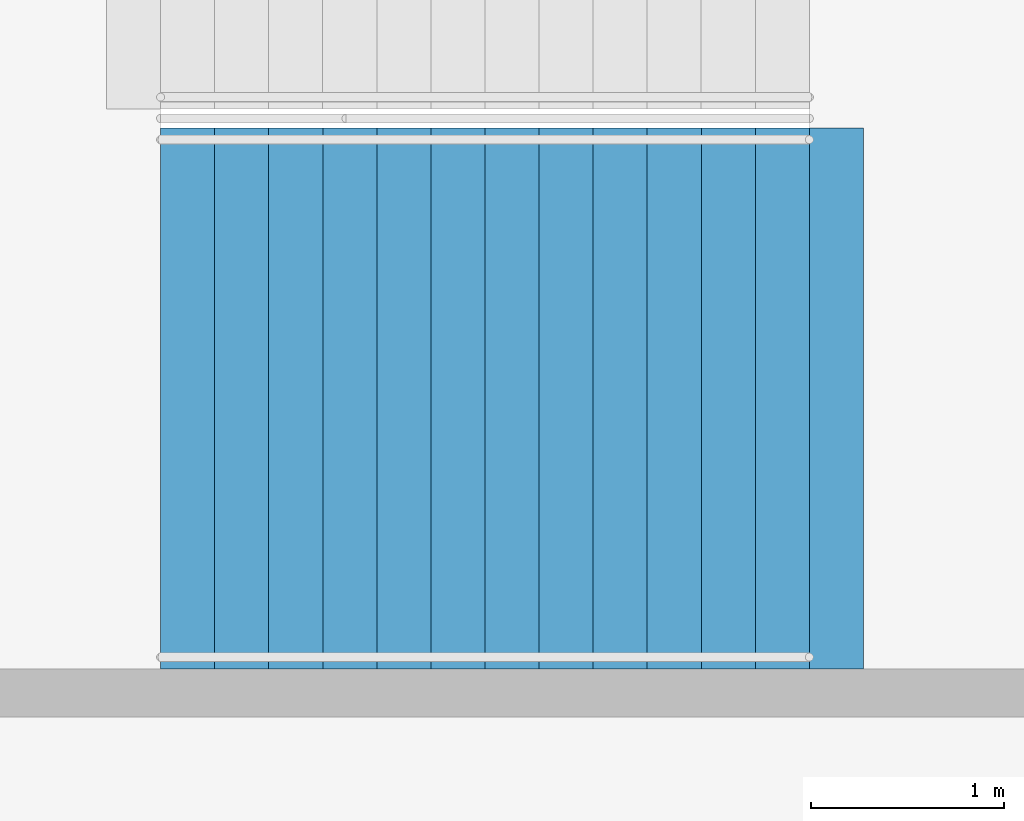
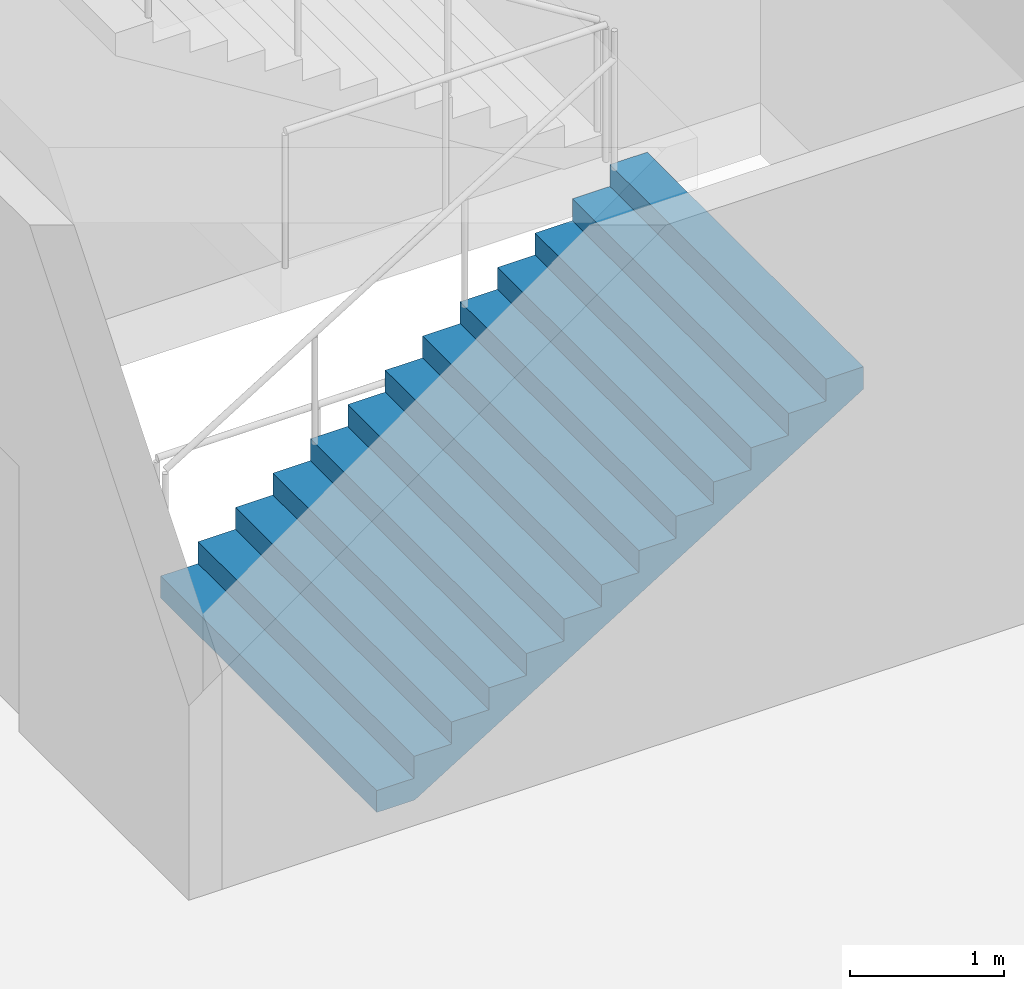
# One storey, part 149 of 199: 1 stair flight, 1 element without a shape of its own.
"""IFC4 building model written with IfcOpenShell, lengths in metres."""

from ifc_helpers import new_model, si_unit, direction, frame, origin, place, context, subcontext, project, spatial, faceted_brep, material, type_object, element, aggregate, save


model = new_model("IFC4")

# Units and contexts
model_context = context("Model", 3, precision=1e-05, world=origin(), true_north=direction((0.0, 1.0)))
body_context = subcontext(model_context, "Body", "Model", "MODEL_VIEW")
ifc_project = project(units=[si_unit("LENGTHUNIT", "METRE"), si_unit("AREAUNIT", "SQUARE_METRE"), si_unit("VOLUMEUNIT", "CUBIC_METRE"), si_unit("PLANEANGLEUNIT", "RADIAN"), si_unit("MASSUNIT", "GRAM", prefix="KILO")], contexts=[model_context])

# Site, building, storey
site_placement = place(None, origin())
site = spatial("IfcSite", under=ifc_project, at=site_placement, CompositionType="ELEMENT")
building_placement = place(site_placement, origin())
building = spatial("IfcBuilding", under=site, at=building_placement, Name="Ogive Plaza Stadium", CompositionType="ELEMENT")
storey_placement = place(building_placement, frame((0.0, 0.0, 4.5)))
storey = spatial("IfcBuildingStorey", under=building, at=storey_placement, Name="L01", CompositionType="ELEMENT", Elevation=4.5)

# Stair, stair flight
ifc_material_1 = material(Name="Concrete C40/50", Category="concrete")
stair_type = type_object("IfcStairType", Name="Exit stair", PredefinedType="STRAIGHT_RUN_STAIR", material=ifc_material_1)
stair_placement = place(storey_placement, origin())
stair = element("IfcStair", 1, at=stair_placement, inside=storey, type_object=stair_type, Name="Exit stair ST04A L01 to L02", PredefinedType="STRAIGHT_RUN_STAIR")
ifc_material_2 = material(Name="Concrete C40/50", Category="concrete")
stair_flight_type = type_object("IfcStairFlightType", Name="Exit stair flight", PredefinedType="STRAIGHT", material=ifc_material_2)
stair_flight_placement = place(storey_placement, frame((76.35009765625, 3.074951171875, 0.0), z_axis=(0.0, 0.0, 1.0), x_axis=(1.0, 0.0, 0.0)))
stair_flight = element("IfcStairFlight", 2, at=stair_flight_placement, type_object=stair_flight_type, Name="ST04A flight 1", NumberOfRisers=13, NumberOfTreads=12, PredefinedType="STRAIGHT", RiserHeight=0.173076923, TreadLength=0.28, context=body_context, shape_type="Brep", body=[
    faceted_brep([(0.28515625, -1.39990234375, 0.0), (3.639892578125, -1.39990234375, 2.07373046875), (3.639892578125, -1.39990234375, 2.25), (3.360107421875, -1.39990234375, 2.25), (3.360107421875, -1.39990234375, 2.076904296875), (3.080078125, -1.39990234375, 2.076904296875), (3.080078125, -1.39990234375, 1.90380859375), (2.800048828125, -1.39990234375, 1.90380859375), (2.800048828125, -1.39990234375, 1.730712890625), (2.52001953125, -1.39990234375, 1.730712890625), (2.52001953125, -1.39990234375, 1.5576171875), (2.239990234375, -1.39990234375, 1.5576171875), (2.239990234375, -1.39990234375, 1.384521484375), (1.9599609375, -1.39990234375, 1.384521484375), (1.9599609375, -1.39990234375, 1.21142578125), (1.679931640625, -1.39990234375, 1.21142578125), (1.679931640625, -1.39990234375, 1.03857421875), (1.39990234375, -1.39990234375, 1.03857421875), (1.39990234375, -1.39990234375, 0.865478515625), (1.1201171875, -1.39990234375, 0.865478515625), (1.1201171875, -1.39990234375, 0.6923828125), (0.840087890625, -1.39990234375, 0.6923828125), (0.840087890625, -1.39990234375, 0.519287109375), (0.56005859375, -1.39990234375, 0.519287109375), (0.56005859375, -1.39990234375, 0.34619140625), (0.280029296875, -1.39990234375, 0.34619140625), (0.280029296875, -1.39990234375, 0.173095703125), (0.0, -1.39990234375, 0.173095703125), (0.0, -1.39990234375, 0.0), (0.0, 1.39990234375, 0.0), (0.0, 1.39990234375, 0.173095703125), (0.280029296875, 1.39990234375, 0.173095703125), (0.280029296875, 1.39990234375, 0.34619140625), (0.56005859375, 1.39990234375, 0.34619140625), (0.56005859375, 1.39990234375, 0.519287109375), (0.840087890625, 1.39990234375, 0.519287109375), (0.840087890625, 1.39990234375, 0.6923828125), (1.1201171875, 1.39990234375, 0.6923828125), (1.1201171875, 1.39990234375, 0.865478515625), (1.39990234375, 1.39990234375, 0.865478515625), (1.39990234375, 1.39990234375, 1.03857421875), (1.679931640625, 1.39990234375, 1.03857421875), (1.679931640625, 1.39990234375, 1.21142578125), (1.9599609375, 1.39990234375, 1.21142578125), (1.9599609375, 1.39990234375, 1.384521484375), (2.239990234375, 1.39990234375, 1.384521484375), (2.239990234375, 1.39990234375, 1.5576171875), (2.52001953125, 1.39990234375, 1.5576171875), (2.52001953125, 1.39990234375, 1.730712890625), (2.800048828125, 1.39990234375, 1.730712890625), (2.800048828125, 1.39990234375, 1.90380859375), (3.080078125, 1.39990234375, 1.90380859375), (3.080078125, 1.39990234375, 2.076904296875), (3.360107421875, 1.39990234375, 2.076904296875), (3.360107421875, 1.39990234375, 2.25), (3.639892578125, 1.39990234375, 2.25), (3.639892578125, 1.39990234375, 2.07373046875), (0.28515625, 1.39990234375, 0.0), (0.28515625, -1.0888671875, 0.0), (3.639892578125, -1.0888671875, 2.07373046875), (0.28515625, -0.77783203125, 0.0), (3.639892578125, -0.77783203125, 2.07373046875), (0.28515625, -0.466796875, 0.0), (3.639892578125, -0.466796875, 2.07373046875), (0.28515625, -0.155517578125, 0.0), (3.639892578125, -0.155517578125, 2.07373046875), (0.28515625, 0.155517578125, 0.0), (3.639892578125, 0.155517578125, 2.07373046875), (0.28515625, 0.466796875, 0.0), (3.639892578125, 0.466796875, 2.07373046875), (0.28515625, 0.77783203125, 0.0), (3.639892578125, 0.77783203125, 2.07373046875), (0.28515625, 1.0888671875, 0.0), (3.639892578125, 1.0888671875, 2.07373046875), (3.639892578125, -1.0888671875, 2.25), (3.639892578125, -0.77783203125, 2.25), (3.639892578125, -0.466796875, 2.25), (3.639892578125, -0.155517578125, 2.25), (3.639892578125, 0.155517578125, 2.25), (3.639892578125, 0.466796875, 2.25), (3.639892578125, 0.77783203125, 2.25), (3.639892578125, 1.0888671875, 2.25), (3.360107421875, -1.0888671875, 2.25), (3.360107421875, -0.77783203125, 2.25), (3.360107421875, -0.466796875, 2.25), (3.360107421875, -0.155517578125, 2.25), (3.360107421875, 0.155517578125, 2.25), (3.360107421875, 0.466796875, 2.25), (3.360107421875, 0.77783203125, 2.25), (3.360107421875, 1.0888671875, 2.25), (3.360107421875, -1.0888671875, 2.076904296875), (3.360107421875, -0.77783203125, 2.076904296875), (3.360107421875, -0.466796875, 2.076904296875), (3.360107421875, -0.155517578125, 2.076904296875), (3.360107421875, 0.155517578125, 2.076904296875), (3.360107421875, 0.466796875, 2.076904296875), (3.360107421875, 0.77783203125, 2.076904296875), (3.360107421875, 1.0888671875, 2.076904296875), (3.080078125, -1.0888671875, 2.076904296875), (3.080078125, -0.77783203125, 2.076904296875), (3.080078125, -0.466796875, 2.076904296875), (3.080078125, -0.155517578125, 2.076904296875), (3.080078125, 0.155517578125, 2.076904296875), (3.080078125, 0.466796875, 2.076904296875), (3.080078125, 0.77783203125, 2.076904296875), (3.080078125, 1.0888671875, 2.076904296875), (3.080078125, -1.0888671875, 1.90380859375), (3.080078125, -0.77783203125, 1.90380859375), (3.080078125, -0.466796875, 1.90380859375), (3.080078125, -0.155517578125, 1.90380859375), (3.080078125, 0.155517578125, 1.90380859375), (3.080078125, 0.466796875, 1.90380859375), (3.080078125, 0.77783203125, 1.90380859375), (3.080078125, 1.0888671875, 1.90380859375), (2.800048828125, -1.0888671875, 1.90380859375), (2.800048828125, -0.77783203125, 1.90380859375), (2.800048828125, -0.466796875, 1.90380859375), (2.800048828125, -0.155517578125, 1.90380859375), (2.800048828125, 0.155517578125, 1.90380859375), (2.800048828125, 0.466796875, 1.90380859375), (2.800048828125, 0.77783203125, 1.90380859375), (2.800048828125, 1.0888671875, 1.90380859375), (2.800048828125, -1.0888671875, 1.730712890625), (2.800048828125, -0.77783203125, 1.730712890625), (2.800048828125, -0.466796875, 1.730712890625), (2.800048828125, -0.155517578125, 1.730712890625), (2.800048828125, 0.155517578125, 1.730712890625), (2.800048828125, 0.466796875, 1.730712890625), (2.800048828125, 0.77783203125, 1.730712890625), (2.800048828125, 1.0888671875, 1.730712890625), (2.52001953125, -1.0888671875, 1.730712890625), (2.52001953125, -0.77783203125, 1.730712890625), (2.52001953125, -0.466796875, 1.730712890625), (2.52001953125, -0.155517578125, 1.730712890625), (2.52001953125, 0.155517578125, 1.730712890625), (2.52001953125, 0.466796875, 1.730712890625), (2.52001953125, 0.77783203125, 1.730712890625), (2.52001953125, 1.0888671875, 1.730712890625), (2.52001953125, -1.0888671875, 1.5576171875), (2.52001953125, -0.77783203125, 1.5576171875), (2.52001953125, -0.466796875, 1.5576171875), (2.52001953125, -0.155517578125, 1.5576171875), (2.52001953125, 0.155517578125, 1.5576171875), (2.52001953125, 0.466796875, 1.5576171875), (2.52001953125, 0.77783203125, 1.5576171875), (2.52001953125, 1.0888671875, 1.5576171875), (2.239990234375, -1.0888671875, 1.5576171875), (2.239990234375, -0.77783203125, 1.5576171875), (2.239990234375, -0.466796875, 1.5576171875), (2.239990234375, -0.155517578125, 1.5576171875), (2.239990234375, 0.155517578125, 1.5576171875), (2.239990234375, 0.466796875, 1.5576171875), (2.239990234375, 0.77783203125, 1.5576171875), (2.239990234375, 1.0888671875, 1.5576171875), (2.239990234375, -1.0888671875, 1.384521484375), (2.239990234375, -0.77783203125, 1.384521484375), (2.239990234375, -0.466796875, 1.384521484375), (2.239990234375, -0.155517578125, 1.384521484375), (2.239990234375, 0.155517578125, 1.384521484375), (2.239990234375, 0.466796875, 1.384521484375), (2.239990234375, 0.77783203125, 1.384521484375), (2.239990234375, 1.0888671875, 1.384521484375), (1.9599609375, -1.0888671875, 1.384521484375), (1.9599609375, -0.77783203125, 1.384521484375), (1.9599609375, -0.466796875, 1.384521484375), (1.9599609375, -0.155517578125, 1.384521484375), (1.9599609375, 0.155517578125, 1.384521484375), (1.9599609375, 0.466796875, 1.384521484375), (1.9599609375, 0.77783203125, 1.384521484375), (1.9599609375, 1.0888671875, 1.384521484375), (1.9599609375, -1.0888671875, 1.21142578125), (1.9599609375, -0.77783203125, 1.21142578125), (1.9599609375, -0.466796875, 1.21142578125), (1.9599609375, -0.155517578125, 1.21142578125), (1.9599609375, 0.155517578125, 1.21142578125), (1.9599609375, 0.466796875, 1.21142578125), (1.9599609375, 0.77783203125, 1.21142578125), (1.9599609375, 1.0888671875, 1.21142578125), (1.679931640625, -1.0888671875, 1.21142578125), (1.679931640625, -0.77783203125, 1.21142578125), (1.679931640625, -0.466796875, 1.21142578125), (1.679931640625, -0.155517578125, 1.21142578125), (1.679931640625, 0.155517578125, 1.21142578125), (1.679931640625, 0.466796875, 1.21142578125), (1.679931640625, 0.77783203125, 1.21142578125), (1.679931640625, 1.0888671875, 1.21142578125), (1.679931640625, -1.0888671875, 1.03857421875), (1.679931640625, -0.77783203125, 1.03857421875), (1.679931640625, -0.466796875, 1.03857421875), (1.679931640625, -0.155517578125, 1.03857421875), (1.679931640625, 0.155517578125, 1.03857421875), (1.679931640625, 0.466796875, 1.03857421875), (1.679931640625, 0.77783203125, 1.03857421875), (1.679931640625, 1.0888671875, 1.03857421875), (1.39990234375, -1.0888671875, 1.03857421875), (1.39990234375, -0.77783203125, 1.03857421875), (1.39990234375, -0.466796875, 1.03857421875), (1.39990234375, -0.155517578125, 1.03857421875), (1.39990234375, 0.155517578125, 1.03857421875), (1.39990234375, 0.466796875, 1.03857421875), (1.39990234375, 0.77783203125, 1.03857421875), (1.39990234375, 1.0888671875, 1.03857421875), (1.39990234375, -1.0888671875, 0.865478515625), (1.39990234375, -0.77783203125, 0.865478515625), (1.39990234375, -0.466796875, 0.865478515625), (1.39990234375, -0.155517578125, 0.865478515625), (1.39990234375, 0.155517578125, 0.865478515625), (1.39990234375, 0.466796875, 0.865478515625), (1.39990234375, 0.77783203125, 0.865478515625), (1.39990234375, 1.0888671875, 0.865478515625), (1.1201171875, -1.0888671875, 0.865478515625), (1.1201171875, -0.77783203125, 0.865478515625), (1.1201171875, -0.466796875, 0.865478515625), (1.1201171875, -0.155517578125, 0.865478515625), (1.1201171875, 0.155517578125, 0.865478515625), (1.1201171875, 0.466796875, 0.865478515625), (1.1201171875, 0.77783203125, 0.865478515625), (1.1201171875, 1.0888671875, 0.865478515625), (1.1201171875, -1.0888671875, 0.6923828125), (1.1201171875, -0.77783203125, 0.6923828125), (1.1201171875, -0.466796875, 0.6923828125), (1.1201171875, -0.155517578125, 0.6923828125), (1.1201171875, 0.155517578125, 0.6923828125), (1.1201171875, 0.466796875, 0.6923828125), (1.1201171875, 0.77783203125, 0.6923828125), (1.1201171875, 1.0888671875, 0.6923828125), (0.840087890625, -1.0888671875, 0.6923828125), (0.840087890625, -0.77783203125, 0.6923828125), (0.840087890625, -0.466796875, 0.6923828125), (0.840087890625, -0.155517578125, 0.6923828125), (0.840087890625, 0.155517578125, 0.6923828125), (0.840087890625, 0.466796875, 0.6923828125), (0.840087890625, 0.77783203125, 0.6923828125), (0.840087890625, 1.0888671875, 0.6923828125), (0.840087890625, -1.0888671875, 0.519287109375), (0.840087890625, -0.77783203125, 0.519287109375), (0.840087890625, -0.466796875, 0.519287109375), (0.840087890625, -0.155517578125, 0.519287109375), (0.840087890625, 0.155517578125, 0.519287109375), (0.840087890625, 0.466796875, 0.519287109375), (0.840087890625, 0.77783203125, 0.519287109375), (0.840087890625, 1.0888671875, 0.519287109375), (0.56005859375, -1.0888671875, 0.519287109375), (0.56005859375, -0.77783203125, 0.519287109375), (0.56005859375, -0.466796875, 0.519287109375), (0.56005859375, -0.155517578125, 0.519287109375), (0.56005859375, 0.155517578125, 0.519287109375), (0.56005859375, 0.466796875, 0.519287109375), (0.56005859375, 0.77783203125, 0.519287109375), (0.56005859375, 1.0888671875, 0.519287109375), (0.56005859375, -1.0888671875, 0.34619140625), (0.56005859375, -0.77783203125, 0.34619140625), (0.56005859375, -0.466796875, 0.34619140625), (0.56005859375, -0.155517578125, 0.34619140625), (0.56005859375, 0.155517578125, 0.34619140625), (0.56005859375, 0.466796875, 0.34619140625), (0.56005859375, 0.77783203125, 0.34619140625), (0.56005859375, 1.0888671875, 0.34619140625), (0.280029296875, -1.0888671875, 0.34619140625), (0.280029296875, -0.77783203125, 0.34619140625), (0.280029296875, -0.466796875, 0.34619140625), (0.280029296875, -0.155517578125, 0.34619140625), (0.280029296875, 0.155517578125, 0.34619140625), (0.280029296875, 0.466796875, 0.34619140625), (0.280029296875, 0.77783203125, 0.34619140625), (0.280029296875, 1.0888671875, 0.34619140625), (0.280029296875, -1.0888671875, 0.173095703125), (0.280029296875, -0.77783203125, 0.173095703125), (0.280029296875, -0.466796875, 0.173095703125), (0.280029296875, -0.155517578125, 0.173095703125), (0.280029296875, 0.155517578125, 0.173095703125), (0.280029296875, 0.466796875, 0.173095703125), (0.280029296875, 0.77783203125, 0.173095703125), (0.280029296875, 1.0888671875, 0.173095703125), (0.0, -1.0888671875, 0.173095703125), (0.0, -0.77783203125, 0.173095703125), (0.0, -0.466796875, 0.173095703125), (0.0, -0.155517578125, 0.173095703125), (0.0, 0.155517578125, 0.173095703125), (0.0, 0.466796875, 0.173095703125), (0.0, 0.77783203125, 0.173095703125), (0.0, 1.0888671875, 0.173095703125), (0.0, -1.0888671875, 0.0), (0.0, -0.77783203125, 0.0), (0.0, -0.466796875, 0.0), (0.0, -0.155517578125, 0.0), (0.0, 0.155517578125, 0.0), (0.0, 0.466796875, 0.0), (0.0, 0.77783203125, 0.0), (0.0, 1.0888671875, 0.0)], [[[0, 1, 2, 3, 4, 5, 6, 7, 8, 9, 10, 11, 12, 13, 14, 15, 16, 17, 18, 19, 20, 21, 22, 23, 24, 25, 26, 27, 28]], [[29, 30, 31, 32, 33, 34, 35, 36, 37, 38, 39, 40, 41, 42, 43, 44, 45, 46, 47, 48, 49, 50, 51, 52, 53, 54, 55, 56, 57]], [[0, 58, 59, 1]], [[58, 60, 61, 59]], [[60, 62, 63, 61]], [[62, 64, 65, 63]], [[64, 66, 67, 65]], [[66, 68, 69, 67]], [[68, 70, 71, 69]], [[70, 72, 73, 71]], [[72, 57, 56, 73]], [[1, 59, 74, 2]], [[59, 61, 75, 74]], [[61, 63, 76, 75]], [[63, 65, 77, 76]], [[65, 67, 78, 77]], [[67, 69, 79, 78]], [[69, 71, 80, 79]], [[71, 73, 81, 80]], [[73, 56, 55, 81]], [[2, 74, 82, 3]], [[74, 75, 83, 82]], [[75, 76, 84, 83]], [[76, 77, 85, 84]], [[77, 78, 86, 85]], [[78, 79, 87, 86]], [[79, 80, 88, 87]], [[80, 81, 89, 88]], [[81, 55, 54, 89]], [[3, 82, 90, 4]], [[82, 83, 91, 90]], [[83, 84, 92, 91]], [[84, 85, 93, 92]], [[85, 86, 94, 93]], [[86, 87, 95, 94]], [[87, 88, 96, 95]], [[88, 89, 97, 96]], [[89, 54, 53, 97]], [[4, 90, 98, 5]], [[90, 91, 99, 98]], [[91, 92, 100, 99]], [[92, 93, 101, 100]], [[93, 94, 102, 101]], [[94, 95, 103, 102]], [[95, 96, 104, 103]], [[96, 97, 105, 104]], [[97, 53, 52, 105]], [[5, 98, 106, 6]], [[98, 99, 107, 106]], [[99, 100, 108, 107]], [[100, 101, 109, 108]], [[101, 102, 110, 109]], [[102, 103, 111, 110]], [[103, 104, 112, 111]], [[104, 105, 113, 112]], [[105, 52, 51, 113]], [[6, 106, 114, 7]], [[106, 107, 115, 114]], [[107, 108, 116, 115]], [[108, 109, 117, 116]], [[109, 110, 118, 117]], [[110, 111, 119, 118]], [[111, 112, 120, 119]], [[112, 113, 121, 120]], [[113, 51, 50, 121]], [[7, 114, 122, 8]], [[114, 115, 123, 122]], [[115, 116, 124, 123]], [[116, 117, 125, 124]], [[117, 118, 126, 125]], [[118, 119, 127, 126]], [[119, 120, 128, 127]], [[120, 121, 129, 128]], [[121, 50, 49, 129]], [[8, 122, 130, 9]], [[122, 123, 131, 130]], [[123, 124, 132, 131]], [[124, 125, 133, 132]], [[125, 126, 134, 133]], [[126, 127, 135, 134]], [[127, 128, 136, 135]], [[128, 129, 137, 136]], [[129, 49, 48, 137]], [[9, 130, 138, 10]], [[130, 131, 139, 138]], [[131, 132, 140, 139]], [[132, 133, 141, 140]], [[133, 134, 142, 141]], [[134, 135, 143, 142]], [[135, 136, 144, 143]], [[136, 137, 145, 144]], [[137, 48, 47, 145]], [[10, 138, 146, 11]], [[138, 139, 147, 146]], [[139, 140, 148, 147]], [[140, 141, 149, 148]], [[141, 142, 150, 149]], [[142, 143, 151, 150]], [[143, 144, 152, 151]], [[144, 145, 153, 152]], [[145, 47, 46, 153]], [[11, 146, 154, 12]], [[146, 147, 155, 154]], [[147, 148, 156, 155]], [[148, 149, 157, 156]], [[149, 150, 158, 157]], [[150, 151, 159, 158]], [[151, 152, 160, 159]], [[152, 153, 161, 160]], [[153, 46, 45, 161]], [[12, 154, 162, 13]], [[154, 155, 163, 162]], [[155, 156, 164, 163]], [[156, 157, 165, 164]], [[157, 158, 166, 165]], [[158, 159, 167, 166]], [[159, 160, 168, 167]], [[160, 161, 169, 168]], [[161, 45, 44, 169]], [[13, 162, 170, 14]], [[162, 163, 171, 170]], [[163, 164, 172, 171]], [[164, 165, 173, 172]], [[165, 166, 174, 173]], [[166, 167, 175, 174]], [[167, 168, 176, 175]], [[168, 169, 177, 176]], [[169, 44, 43, 177]], [[14, 170, 178, 15]], [[170, 171, 179, 178]], [[171, 172, 180, 179]], [[172, 173, 181, 180]], [[173, 174, 182, 181]], [[174, 175, 183, 182]], [[175, 176, 184, 183]], [[176, 177, 185, 184]], [[177, 43, 42, 185]], [[15, 178, 186, 16]], [[178, 179, 187, 186]], [[179, 180, 188, 187]], [[180, 181, 189, 188]], [[181, 182, 190, 189]], [[182, 183, 191, 190]], [[183, 184, 192, 191]], [[184, 185, 193, 192]], [[185, 42, 41, 193]], [[16, 186, 194, 17]], [[186, 187, 195, 194]], [[187, 188, 196, 195]], [[188, 189, 197, 196]], [[189, 190, 198, 197]], [[190, 191, 199, 198]], [[191, 192, 200, 199]], [[192, 193, 201, 200]], [[193, 41, 40, 201]], [[17, 194, 202, 18]], [[194, 195, 203, 202]], [[195, 196, 204, 203]], [[196, 197, 205, 204]], [[197, 198, 206, 205]], [[198, 199, 207, 206]], [[199, 200, 208, 207]], [[200, 201, 209, 208]], [[201, 40, 39, 209]], [[18, 202, 210, 19]], [[202, 203, 211, 210]], [[203, 204, 212, 211]], [[204, 205, 213, 212]], [[205, 206, 214, 213]], [[206, 207, 215, 214]], [[207, 208, 216, 215]], [[208, 209, 217, 216]], [[209, 39, 38, 217]], [[19, 210, 218, 20]], [[210, 211, 219, 218]], [[211, 212, 220, 219]], [[212, 213, 221, 220]], [[213, 214, 222, 221]], [[214, 215, 223, 222]], [[215, 216, 224, 223]], [[216, 217, 225, 224]], [[217, 38, 37, 225]], [[20, 218, 226, 21]], [[218, 219, 227, 226]], [[219, 220, 228, 227]], [[220, 221, 229, 228]], [[221, 222, 230, 229]], [[222, 223, 231, 230]], [[223, 224, 232, 231]], [[224, 225, 233, 232]], [[225, 37, 36, 233]], [[21, 226, 234, 22]], [[226, 227, 235, 234]], [[227, 228, 236, 235]], [[228, 229, 237, 236]], [[229, 230, 238, 237]], [[230, 231, 239, 238]], [[231, 232, 240, 239]], [[232, 233, 241, 240]], [[233, 36, 35, 241]], [[22, 234, 242, 23]], [[234, 235, 243, 242]], [[235, 236, 244, 243]], [[236, 237, 245, 244]], [[237, 238, 246, 245]], [[238, 239, 247, 246]], [[239, 240, 248, 247]], [[240, 241, 249, 248]], [[241, 35, 34, 249]], [[23, 242, 250, 24]], [[242, 243, 251, 250]], [[243, 244, 252, 251]], [[244, 245, 253, 252]], [[245, 246, 254, 253]], [[246, 247, 255, 254]], [[247, 248, 256, 255]], [[248, 249, 257, 256]], [[249, 34, 33, 257]], [[24, 250, 258, 25]], [[250, 251, 259, 258]], [[251, 252, 260, 259]], [[252, 253, 261, 260]], [[253, 254, 262, 261]], [[254, 255, 263, 262]], [[255, 256, 264, 263]], [[256, 257, 265, 264]], [[257, 33, 32, 265]], [[25, 258, 266, 26]], [[258, 259, 267, 266]], [[259, 260, 268, 267]], [[260, 261, 269, 268]], [[261, 262, 270, 269]], [[262, 263, 271, 270]], [[263, 264, 272, 271]], [[264, 265, 273, 272]], [[265, 32, 31, 273]], [[26, 266, 274, 27]], [[266, 267, 275, 274]], [[267, 268, 276, 275]], [[268, 269, 277, 276]], [[269, 270, 278, 277]], [[270, 271, 279, 278]], [[271, 272, 280, 279]], [[272, 273, 281, 280]], [[273, 31, 30, 281]], [[27, 274, 282, 28]], [[274, 275, 283, 282]], [[275, 276, 284, 283]], [[276, 277, 285, 284]], [[277, 278, 286, 285]], [[278, 279, 287, 286]], [[279, 280, 288, 287]], [[280, 281, 289, 288]], [[281, 30, 29, 289]], [[28, 282, 58, 0]], [[282, 283, 60, 58]], [[283, 284, 62, 60]], [[284, 285, 64, 62]], [[285, 286, 66, 64]], [[286, 287, 68, 66]], [[287, 288, 70, 68]], [[288, 289, 72, 70]], [[289, 29, 57, 72]]]),
])
aggregate(stair, [stair_flight])

save(model, "model.ifc")
